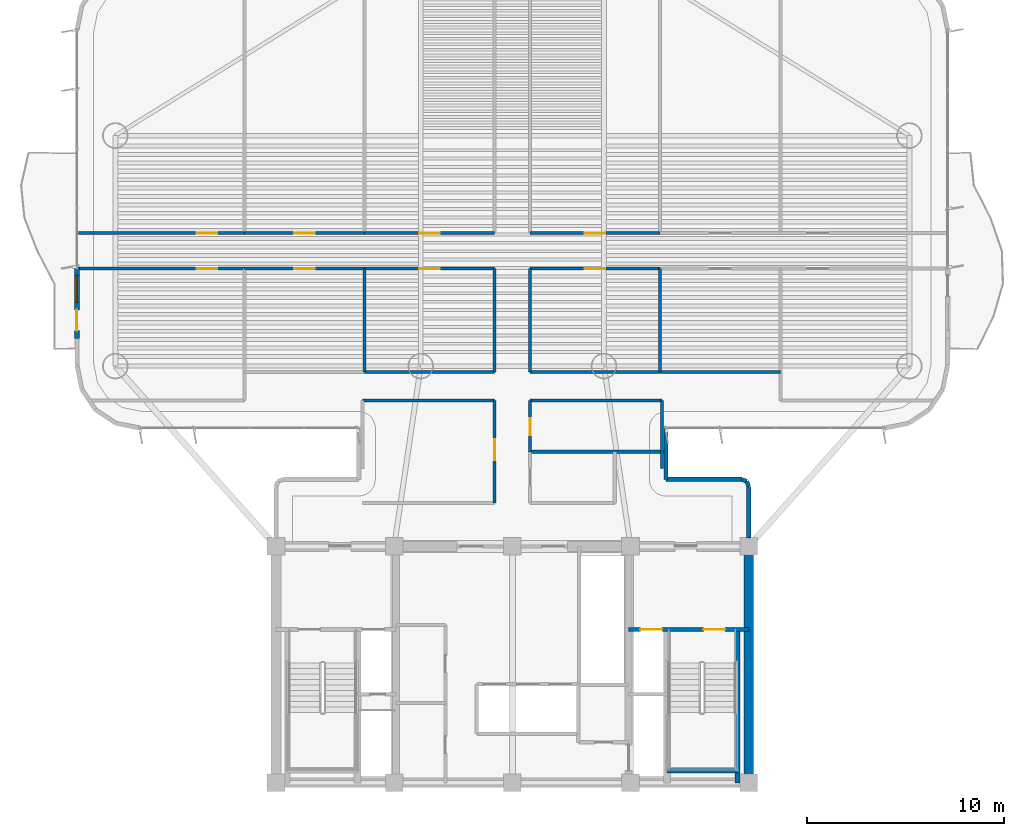
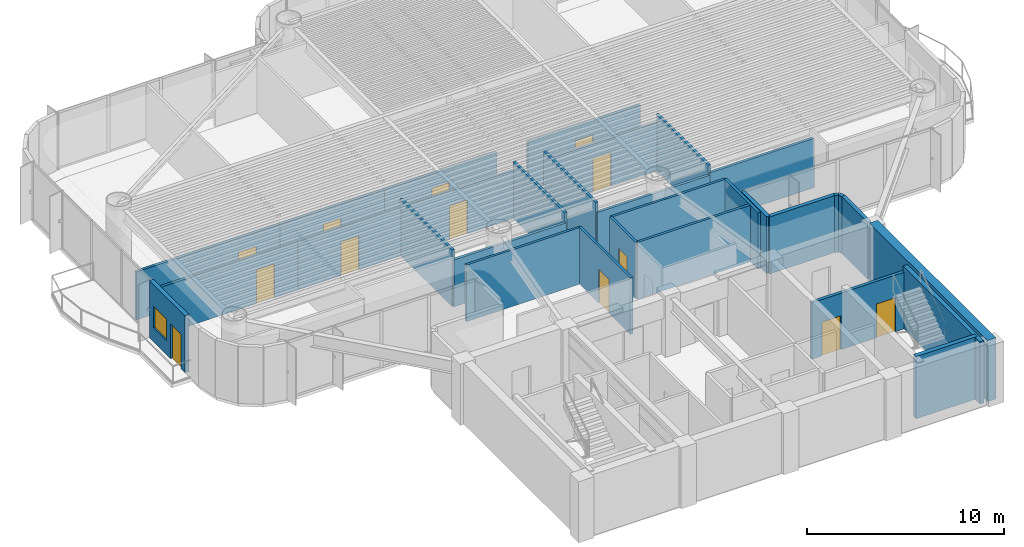
# One storey, part 10 of 16: 31 walls, 13 doors, 1 window, 14 openings.
"""IFC4 building model written with IfcOpenShell, lengths in metres."""

from ifc_helpers import new_model, si_unit, direction, frame, frame_2d, origin, origin_2d, place, context, subcontext, project, spatial, rectangle, extrude, source, transform, mapped, material, layer, layer_set, type_object, element, fill, save


model = new_model("IFC4")

# Units and contexts
model_context = context("Model", 3, precision=1e-05, world=origin(), true_north=direction((0.0, 1.0)))
body_context = subcontext(model_context, "Body", "Model", "MODEL_VIEW")
ifc_project = project(units=[si_unit("LENGTHUNIT", "METRE"), si_unit("AREAUNIT", "SQUARE_METRE"), si_unit("VOLUMEUNIT", "CUBIC_METRE"), si_unit("PLANEANGLEUNIT", "RADIAN"), si_unit("MASSUNIT", "GRAM", prefix="KILO")], contexts=[model_context])

# Site, building, storey
site_placement = place(None, origin())
site = spatial("IfcSite", under=ifc_project, at=site_placement, CompositionType="ELEMENT")
building_placement = place(site_placement, origin())
building = spatial("IfcBuilding", under=site, at=building_placement, Name="Brelvock Crest Care Tower", CompositionType="ELEMENT")
storey_placement = place(building_placement, frame((0.0, 0.0, 112.5)))
storey = spatial("IfcBuildingStorey", under=building, at=storey_placement, Name="L28", CompositionType="ELEMENT", Elevation=112.5)

# Walls
ifc_material_1 = material(Name="Concrete S80 (80 MPa)", Category="concrete")
ifc_layer_1 = layer(ifc_material_1, 0.5, Name="WL-CS2")
ifc_layer_set_1 = layer_set([ifc_layer_1], Name="Concrete S80 (80 MPa)")
wall_type_1 = type_object("IfcWallType", Name="WL-CS2", PredefinedType="SHEAR", material=ifc_layer_set_1)
wall_1_placement = place(storey_placement, frame((48.0, 18.0, 0.0), z_axis=(0.0, 0.0, 1.0), x_axis=(0.0, -1.0, 0.0)))
element("IfcWall", 1, at=wall_1_placement, inside=storey, type_object=wall_type_1, Name="L28 Core East Shear Wall", PredefinedType="SHEAR", context=body_context, shape_type="SweptSolid", body=[
    extrude(rectangle(XDim=12.0, YDim=0.5, at=frame_2d((6.0, 0.0))), origin(), (0.0, 0.0, 1.0), 3.780029296875),
])
ifc_layer_2 = layer(ifc_material_1, 0.25, Name="WL-CS6")
ifc_layer_set_2 = layer_set([ifc_layer_2], Name="Concrete S80 (80 MPa)")
wall_type_2 = type_object("IfcWallType", Name="WL-CS6", PredefinedType="SHEAR", material=ifc_layer_set_2)
wall_2_placement = place(storey_placement, frame((47.419921875, 6.0, 0.0), z_axis=(0.0, 0.0, 1.0), x_axis=(0.0, 1.0, 0.0)))
element("IfcWall", 2, at=wall_2_placement, inside=storey, type_object=wall_type_2, Name="L28 Core Stair ST-2 East Shear Wall", PredefinedType="SHEAR", context=body_context, shape_type="SweptSolid", body=[
    extrude(rectangle(XDim=7.780029296875, YDim=0.25, at=frame_2d((3.89013671875, 0.0))), origin(), (0.0, 0.0, 1.0), 3.85009765625),
])
wall_3_placement = place(storey_placement, frame((43.85009765625, 6.6201171875, 0.0), z_axis=(0.0, 0.0, 1.0), x_axis=(1.0, 0.0, 0.0)))
element("IfcWall", 3, at=wall_3_placement, inside=storey, type_object=wall_type_2, Name="L28 Core Stair ST-2 South Shear Wall", PredefinedType="SHEAR", context=body_context, shape_type="SweptSolid", body=[
    extrude(rectangle(XDim=3.56982421875, YDim=0.25, at=frame_2d((1.784912109375, 0.0))), origin(), (0.0, 0.0, 1.0), 3.85009765625),
])

# Wall, openings, door, window
ifc_material_2 = material(Name="Precast concrete N40 (40 MPa)", Category="concrete")
ifc_layer_3 = layer(ifc_material_2, 0.239990234375, Name="WL-EX1")
ifc_layer_set_3 = layer_set([ifc_layer_3], Name="Precast concrete N40 (40 MPa)")
wall_type_3 = type_object("IfcWallType", Name="WL-EX1", PredefinedType="SOLIDWALL", material=ifc_layer_set_3)
wall_4_placement = place(storey_placement, frame((13.89990234375, 28.550048828125, 0.0), z_axis=(0.0, 0.0, 1.0), x_axis=(0.0, 1.0, 0.0)))
wall_4 = element("IfcWall", 4, at=wall_4_placement, inside=storey, type_object=wall_type_3, Name="L28 Exterior Spandrel Wall WL-BAL-L28-W", PredefinedType="SOLIDWALL", context=body_context, shape_type="SweptSolid", body=[
    extrude(rectangle(XDim=3.599853515625, YDim=0.239990234375, at=frame_2d((1.7998046875, 0.0))), origin(), (0.0, 0.0, 1.0), 3.530029296875),
])
opening_1_placement = place(wall_4_placement, frame((0.39990234375, 0.0, 0.0)))
opening_1 = element("IfcOpeningElement", 5, at=opening_1_placement, cuts=wall_4, Name="Opening BD-1", PredefinedType="OPENING", context=body_context, shape_type="SweptSolid", body=[
    extrude(rectangle(XDim=1.050048828125, YDim=2.14990234375, at=origin_2d()), frame((0.52490234375, 0.1298828125, 1.074951171875), z_axis=(0.0, -1.0, 0.0), x_axis=(1.0, 0.0, 0.0)), (0.0, 0.0, 1.0), 0.260009765625),
])
opening_2_placement = place(wall_4_placement, frame((1.85009765625, 0.0, 0.85009765625)))
opening_2 = element("IfcOpeningElement", 6, at=opening_2_placement, cuts=wall_4, Name="Opening W-01", PredefinedType="OPENING", context=body_context, shape_type="SweptSolid", body=[
    extrude(rectangle(XDim=1.35009765625, YDim=1.35009765625, at=origin_2d()), frame((0.675048828125, 0.1298828125, 0.675048828125), z_axis=(0.0, -1.0, 0.0), x_axis=(1.0, 0.0, 0.0)), (0.0, 0.0, 1.0), 0.260009765625),
])
ifc_material_3 = material(Name="Dark Glass Double Glazed Low-E", Category="glass")
door_type_1 = type_object("IfcDoorType", Name="DR-BAL1", OperationType="NOTDEFINED", PredefinedType="DOOR", material=ifc_material_3)
shared_shape_1 = source(origin(), body_context, "Body", "SweptSolid", [
    extrude(rectangle(XDim=1.050048828125, YDim=2.14990234375, at=origin_2d()), frame((0.52490234375, 0.02490234375, 1.074951171875), z_axis=(0.0, -1.0, 0.0), x_axis=(1.0, 0.0, 0.0)), (0.0, 0.0, 1.0), 0.050048828125),
])
door_1_placement = place(opening_1_placement, origin())
door_1 = element("IfcDoor", 7, at=door_1_placement, inside=storey, type_object=door_type_1, Name="L28 W Wave Balcony Glazed Door", OperationType="SINGLE_SWING_LEFT", OverallHeight=2.14990234375, OverallWidth=1.050048828125, PredefinedType="DOOR", context=body_context, shape_type="MappedRepresentation", body=[
    mapped(shared_shape_1, transform((0.0, 0.0, 0.0), x_axis=(1.0, 0.0, 0.0), y_axis=(0.0, 1.0, 0.0), z_axis=(0.0, 0.0, 1.0), scale=1.0)),
])
fill(opening_1, door_1)
window_type = type_object("IfcWindowType", Name="WN-EX1", PartitioningType="SINGLE_PANEL", PredefinedType="WINDOW", material=ifc_material_3)
shared_shape_2 = source(origin(), body_context, "Body", "SweptSolid", [
    extrude(rectangle(XDim=1.35009765625, YDim=1.35009765625, at=origin_2d()), frame((0.675048828125, 0.030029296875, 0.675048828125), z_axis=(0.0, -1.0, 0.0), x_axis=(1.0, 0.0, 0.0)), (0.0, 0.0, 1.0), 0.06005859375),
])
window_placement = place(opening_2_placement, origin())
window = element("IfcWindow", 8, at=window_placement, inside=storey, type_object=window_type, Name="L28 W Suite Casement Window", OverallHeight=1.35009765625, OverallWidth=1.35009765625, PartitioningType="SINGLE_PANEL", PredefinedType="WINDOW", context=body_context, shape_type="MappedRepresentation", body=[
    mapped(shared_shape_2, transform((0.0, 0.0, 0.0), x_axis=(1.0, 0.0, 0.0), y_axis=(0.0, 1.0, 0.0), z_axis=(0.0, 0.0, 1.0), scale=1.0)),
])
fill(opening_2, window)

# Walls
ifc_layer_4 = layer(ifc_material_2, 0.215087890625, Name="WL-EX2")
ifc_layer_set_4 = layer_set([ifc_layer_4], Name="Precast concrete N40 (40 MPa)")
wall_type_4 = type_object("IfcWallType", Name="WL-EX2", PredefinedType="SOLIDWALL", material=ifc_layer_set_4)
wall_5_placement = place(storey_placement, frame((47.8974609375, 21.297607421875, 0.0), z_axis=(0.0, 0.0, 1.0), x_axis=(0.382673670509, -0.923883575944, 0.0)))
element("IfcWall", 9, at=wall_5_placement, inside=storey, type_object=wall_type_4, Name="L28 Rounded Corner Wall 00", PredefinedType="SOLIDWALL", context=body_context, shape_type="SweptSolid", body=[
    extrude(rectangle(XDim=0.26806640625, YDim=0.215087890625, at=frame_2d((0.134033203125, 0.0))), origin(), (0.0, 0.0, 1.0), 3.530029296875),
])
wall_6_placement = place(storey_placement, frame((48.0, 21.050048828125, 0.0), z_axis=(0.0, 0.0, 1.0), x_axis=(0.0, -1.0, 0.0)))
element("IfcWall", 10, at=wall_6_placement, inside=storey, type_object=wall_type_4, Name="L28 Rounded Corner Wall 01", PredefinedType="SOLIDWALL", context=body_context, shape_type="SweptSolid", body=[
    extrude(rectangle(XDim=2.6201171875, YDim=0.215087890625, at=frame_2d((1.31005859375, 0.0))), origin(), (0.0, 0.0, 1.0), 3.530029296875),
])
wall_7_placement = place(storey_placement, frame((43.800048828125, 24.0, 0.0), z_axis=(0.0, 0.0, 1.0), x_axis=(0.0, -1.0, 0.0)))
element("IfcWall", 11, at=wall_7_placement, inside=storey, type_object=wall_type_4, Name="L28 Rounded Corner Wall 45", PredefinedType="SOLIDWALL", context=body_context, shape_type="SweptSolid", body=[
    extrude(rectangle(XDim=2.60009765625, YDim=0.215087890625, at=frame_2d((1.300048828125, 0.0))), origin(), (0.0, 0.0, 1.0), 3.530029296875),
])
wall_8_placement = place(storey_placement, frame((43.800048828125, 21.39990234375, 0.0), z_axis=(0.0, 0.0, 1.0), x_axis=(1.0, 0.0, 0.0)))
element("IfcWall", 12, at=wall_8_placement, inside=storey, type_object=wall_type_4, Name="L28 Rounded Corner Wall 46", PredefinedType="SOLIDWALL", context=body_context, shape_type="SweptSolid", body=[
    extrude(rectangle(XDim=3.849853515625, YDim=0.215087890625, at=frame_2d((1.9248046875, 0.0))), origin(), (0.0, 0.0, 1.0), 3.530029296875),
])
wall_9_placement = place(storey_placement, frame((47.64990234375, 21.39990234375, 0.0), z_axis=(0.0, 0.0, 1.0), x_axis=(0.924205486139, -0.381895560841, 0.0)))
element("IfcWall", 13, at=wall_9_placement, inside=storey, type_object=wall_type_4, Name="L28 Rounded Corner Wall 47", PredefinedType="SOLIDWALL", context=body_context, shape_type="SweptSolid", body=[
    extrude(rectangle(XDim=0.267822265625, YDim=0.215087890625, at=frame_2d((0.1337890625, 0.0))), origin(), (0.0, 0.0, 1.0), 3.530029296875),
])
ifc_material_4 = material(Name="Masonry Blockwork Acoustic Partition", Category="masonry")
ifc_layer_5 = layer(ifc_material_4, 0.14990234375, Name="WL-INT1")
ifc_layer_set_5 = layer_set([ifc_layer_5], Name="Masonry Blockwork Acoustic Partition")
wall_type_5 = type_object("IfcWallType", Name="WL-INT1", PredefinedType="PARTITIONING", material=ifc_layer_set_5)
for number, where, z_axis, x_axis, name in (
    (14, (28.39990234375, 25.39990234375, 0.0), (0.0, 0.0, 1.0), (1.0, 0.0, 0.0), "L28 Interior Wall WL-BX-L28-THW-N"),
    (15, (36.89990234375, 25.39990234375, 0.0), (0.0, 0.0, 1.0), (1.0, 0.0, 0.0), "L28 Interior Wall WL-BX-L28-THE2-N"),
):
    element("IfcWall", number, at=place(storey_placement, frame(where, z_axis=z_axis, x_axis=x_axis)), inside=storey, type_object=wall_type_5, Name=name, PredefinedType="PARTITIONING", context=body_context, shape_type="SweptSolid", body=[
        extrude(rectangle(XDim=6.7001953125, YDim=0.14990234375, at=frame_2d((3.35009765625, 0.0))), origin(), (0.0, 0.0, 1.0), 3.5),
    ])
for number, where, z_axis, x_axis, name in (
    (16, (28.5, 26.85009765625, 0.0), (0.0, 0.0, 1.0), (1.0, 0.0, 0.0), "L28 Interior Wall WL-BX-L28-ISWB-S"),
    (17, (36.89990234375, 26.85009765625, 0.0), (0.0, 0.0, 1.0), (1.0, 0.0, 0.0), "L28 Interior Wall WL-BX-L28-ISEA-S"),
):
    element("IfcWall", number, at=place(storey_placement, frame(where, z_axis=z_axis, x_axis=x_axis)), inside=storey, type_object=wall_type_5, Name=name, PredefinedType="PARTITIONING", context=body_context, shape_type="SweptSolid", body=[
        extrude(rectangle(XDim=6.60009765625, YDim=0.14990234375, at=frame_2d((3.300048828125, 0.0))), origin(), (0.0, 0.0, 1.0), 2.903076171875),
    ])
wall_10_placement = place(storey_placement, frame((43.5, 26.85009765625, 0.0), z_axis=(0.0, 0.0, 1.0), x_axis=(1.0, 0.0, 0.0)))
element("IfcWall", 18, at=wall_10_placement, inside=storey, type_object=wall_type_5, Name="L28 Interior Wall WL-BX-L28-ISEB-S", PredefinedType="PARTITIONING", context=body_context, shape_type="SweptSolid", body=[
    extrude(rectangle(XDim=6.10009765625, YDim=0.14990234375, at=frame_2d((3.050048828125, 0.0))), origin(), (0.0, 0.0, 1.0), 3.054931640625),
])

# Wall, opening, door
wall_11_placement = place(storey_placement, frame((13.97998046875, 32.10009765625, 0.0), z_axis=(0.0, 0.0, 1.0), x_axis=(1.0, 0.0, 0.0)))
wall_11 = element("IfcWall", 19, at=wall_11_placement, inside=storey, type_object=wall_type_5, Name="L28 Interior Wall WL-RM-L28-SW", PredefinedType="PARTITIONING", context=body_context, shape_type="SweptSolid", body=[
    extrude(rectangle(XDim=8.419921875, YDim=0.14990234375, at=frame_2d((4.2099609375, 0.0))), origin(), (0.0, 0.0, 1.0), 2.98193359375),
])
opening_3_placement = place(wall_11_placement, frame((5.9951171875, 0.0, 0.0)))
opening_3 = element("IfcOpeningElement", 20, at=opening_3_placement, cuts=wall_11, Name="Opening CLD-1", PredefinedType="OPENING", context=body_context, shape_type="SweptSolid", body=[
    extrude(rectangle(XDim=1.050048828125, YDim=2.10009765625, at=origin_2d()), frame((0.52490234375, 0.0849609375, 1.050048828125), z_axis=(0.0, -1.0, 0.0), x_axis=(1.0, 0.0, 0.0)), (0.0, 0.0, 1.0), 0.169921875),
])
ifc_material_5 = material(Name="Engineered Hardwood Timber", Category="wood")
door_type_2 = type_object("IfcDoorType", Name="DR-CLN1", OperationType="NOTDEFINED", PredefinedType="DOOR", material=ifc_material_5)
shared_shape_3 = source(origin(), body_context, "Body", "SweptSolid", [
    extrude(rectangle(XDim=1.050048828125, YDim=2.10009765625, at=origin_2d()), frame((0.52490234375, 0.02490234375, 1.050048828125), z_axis=(0.0, -1.0, 0.0), x_axis=(1.0, 0.0, 0.0)), (0.0, 0.0, 1.0), 0.050048828125),
])
door_2_placement = place(opening_3_placement, origin())
door_2 = element("IfcDoor", 21, at=door_2_placement, inside=storey, type_object=door_type_2, Name="L28 Rehabilitation Therapy Suite Door SW", OperationType="SINGLE_SWING_LEFT", OverallHeight=2.10009765625, OverallWidth=1.050048828125, PredefinedType="DOOR", context=body_context, shape_type="MappedRepresentation", body=[
    mapped(shared_shape_3, transform((0.0, 0.0, 0.0), x_axis=(1.0, 0.0, 0.0), y_axis=(0.0, 1.0, 0.0), z_axis=(0.0, 0.0, 1.0), scale=1.0)),
])
fill(opening_3, door_2)

wall_12_placement = place(storey_placement, frame((22.39990234375, 32.10009765625, 0.0), z_axis=(0.0, 0.0, 1.0), x_axis=(1.0, 0.0, 0.0)))
wall_12 = element("IfcWall", 22, at=wall_12_placement, inside=storey, type_object=wall_type_5, Name="L28 Interior Wall WL-RM-L28-ISWA", PredefinedType="PARTITIONING", context=body_context, shape_type="SweptSolid", body=[
    extrude(rectangle(XDim=6.10009765625, YDim=0.14990234375, at=frame_2d((3.050048828125, 0.0))), origin(), (0.0, 0.0, 1.0), 2.98193359375),
])
opening_4_placement = place(wall_12_placement, frame((2.52490234375, 0.0, 0.0)))
opening_4 = element("IfcOpeningElement", 23, at=opening_4_placement, cuts=wall_12, Name="Opening CLD-1", PredefinedType="OPENING", context=body_context, shape_type="SweptSolid", body=[
    extrude(rectangle(XDim=1.050048828125, YDim=2.10009765625, at=origin_2d()), frame((0.52490234375, 0.0849609375, 1.050048828125), z_axis=(0.0, -1.0, 0.0), x_axis=(1.0, 0.0, 0.0)), (0.0, 0.0, 1.0), 0.169921875),
])
door_3_placement = place(opening_4_placement, origin())
door_3 = element("IfcDoor", 24, at=door_3_placement, inside=storey, type_object=door_type_2, Name="L28 Occupational Rehab Gym Door ISWA", OperationType="SINGLE_SWING_LEFT", OverallHeight=2.10009765625, OverallWidth=1.050048828125, PredefinedType="DOOR", context=body_context, shape_type="MappedRepresentation", body=[
    mapped(shared_shape_3, transform((0.0, 0.0, 0.0), x_axis=(1.0, 0.0, 0.0), y_axis=(0.0, 1.0, 0.0), z_axis=(0.0, 0.0, 1.0), scale=1.0)),
])
fill(opening_4, door_3)

wall_13_placement = place(storey_placement, frame((28.5, 32.10009765625, 0.0), z_axis=(0.0, 0.0, 1.0), x_axis=(1.0, 0.0, 0.0)))
wall_13 = element("IfcWall", 25, at=wall_13_placement, inside=storey, type_object=wall_type_5, Name="L28 Interior Wall WL-RM-L28-ISWB", PredefinedType="PARTITIONING", context=body_context, shape_type="SweptSolid", body=[
    extrude(rectangle(XDim=6.60009765625, YDim=0.14990234375, at=frame_2d((3.300048828125, 0.0))), origin(), (0.0, 0.0, 1.0), 2.98193359375),
])
opening_5_placement = place(wall_13_placement, frame((2.77490234375, 0.0, 0.0)))
opening_5 = element("IfcOpeningElement", 26, at=opening_5_placement, cuts=wall_13, Name="Opening CLD-1", PredefinedType="OPENING", context=body_context, shape_type="SweptSolid", body=[
    extrude(rectangle(XDim=1.050048828125, YDim=2.10009765625, at=origin_2d()), frame((0.52490234375, 0.0849609375, 1.050048828125), z_axis=(0.0, -1.0, 0.0), x_axis=(1.0, 0.0, 0.0)), (0.0, 0.0, 1.0), 0.169921875),
])
door_4_placement = place(opening_5_placement, origin())
door_4 = element("IfcDoor", 27, at=door_4_placement, inside=storey, type_object=door_type_2, Name="L28 Geriatric Hydro-Consultation Door ISWB", OperationType="SINGLE_SWING_LEFT", OverallHeight=2.10009765625, OverallWidth=1.050048828125, PredefinedType="DOOR", context=body_context, shape_type="MappedRepresentation", body=[
    mapped(shared_shape_3, transform((0.0, 0.0, 0.0), x_axis=(1.0, 0.0, 0.0), y_axis=(0.0, 1.0, 0.0), z_axis=(0.0, 0.0, 1.0), scale=1.0)),
])
fill(opening_5, door_4)

wall_14_placement = place(storey_placement, frame((36.89990234375, 32.10009765625, 0.0), z_axis=(0.0, 0.0, 1.0), x_axis=(1.0, 0.0, 0.0)))
wall_14 = element("IfcWall", 28, at=wall_14_placement, inside=storey, type_object=wall_type_5, Name="L28 Interior Wall WL-RM-L28-ISEA", PredefinedType="PARTITIONING", context=body_context, shape_type="SweptSolid", body=[
    extrude(rectangle(XDim=6.60009765625, YDim=0.14990234375, at=frame_2d((3.300048828125, 0.0))), origin(), (0.0, 0.0, 1.0), 2.98193359375),
])
opening_6_placement = place(wall_14_placement, frame((2.77490234375, 0.0, 0.0)))
opening_6 = element("IfcOpeningElement", 29, at=opening_6_placement, cuts=wall_14, Name="Opening CLD-1", PredefinedType="OPENING", context=body_context, shape_type="SweptSolid", body=[
    extrude(rectangle(XDim=1.050048828125, YDim=2.10009765625, at=origin_2d()), frame((0.52490234375, 0.0849609375, 1.050048828125), z_axis=(0.0, -1.0, 0.0), x_axis=(1.0, 0.0, 0.0)), (0.0, 0.0, 1.0), 0.169921875),
])
door_5_placement = place(opening_6_placement, origin())
door_5 = element("IfcDoor", 30, at=door_5_placement, inside=storey, type_object=door_type_2, Name="L28 Occupational Rehab Gym Door ISEA", OperationType="SINGLE_SWING_LEFT", OverallHeight=2.10009765625, OverallWidth=1.050048828125, PredefinedType="DOOR", context=body_context, shape_type="MappedRepresentation", body=[
    mapped(shared_shape_3, transform((0.0, 0.0, 0.0), x_axis=(1.0, 0.0, 0.0), y_axis=(0.0, 1.0, 0.0), z_axis=(0.0, 0.0, 1.0), scale=1.0)),
])
fill(opening_6, door_5)

wall_15_placement = place(storey_placement, frame((13.97998046875, 33.89990234375, 0.0), z_axis=(0.0, 0.0, 1.0), x_axis=(1.0, 0.0, 0.0)))
wall_15 = element("IfcWall", 31, at=wall_15_placement, inside=storey, type_object=wall_type_5, Name="L28 Interior Wall WL-RM-L28-NW", PredefinedType="PARTITIONING", context=body_context, shape_type="SweptSolid", body=[
    extrude(rectangle(XDim=8.419921875, YDim=0.14990234375, at=frame_2d((4.2099609375, 0.0))), origin(), (0.0, 0.0, 1.0), 2.98193359375),
])
opening_7_placement = place(wall_15_placement, frame((5.9951171875, 0.0, 0.0)))
opening_7 = element("IfcOpeningElement", 32, at=opening_7_placement, cuts=wall_15, Name="Opening CLD-1", PredefinedType="OPENING", context=body_context, shape_type="SweptSolid", body=[
    extrude(rectangle(XDim=1.050048828125, YDim=2.10009765625, at=origin_2d()), frame((0.52490234375, 0.0849609375, 1.050048828125), z_axis=(0.0, -1.0, 0.0), x_axis=(1.0, 0.0, 0.0)), (0.0, 0.0, 1.0), 0.169921875),
])
door_6_placement = place(opening_7_placement, origin())
door_6 = element("IfcDoor", 33, at=door_6_placement, inside=storey, type_object=door_type_2, Name="L28 Rehabilitation Therapy Suite Door NW", OperationType="SINGLE_SWING_LEFT", OverallHeight=2.10009765625, OverallWidth=1.050048828125, PredefinedType="DOOR", context=body_context, shape_type="MappedRepresentation", body=[
    mapped(shared_shape_3, transform((0.0, 0.0, 0.0), x_axis=(1.0, 0.0, 0.0), y_axis=(0.0, 1.0, 0.0), z_axis=(0.0, 0.0, 1.0), scale=1.0)),
])
fill(opening_7, door_6)

wall_16_placement = place(storey_placement, frame((22.39990234375, 33.89990234375, 0.0), z_axis=(0.0, 0.0, 1.0), x_axis=(1.0, 0.0, 0.0)))
wall_16 = element("IfcWall", 34, at=wall_16_placement, inside=storey, type_object=wall_type_5, Name="L28 Interior Wall WL-RM-L28-INWA", PredefinedType="PARTITIONING", context=body_context, shape_type="SweptSolid", body=[
    extrude(rectangle(XDim=6.10009765625, YDim=0.14990234375, at=frame_2d((3.050048828125, 0.0))), origin(), (0.0, 0.0, 1.0), 2.98193359375),
])
opening_8_placement = place(wall_16_placement, frame((2.52490234375, 0.0, 0.0)))
opening_8 = element("IfcOpeningElement", 35, at=opening_8_placement, cuts=wall_16, Name="Opening CLD-1", PredefinedType="OPENING", context=body_context, shape_type="SweptSolid", body=[
    extrude(rectangle(XDim=1.050048828125, YDim=2.10009765625, at=origin_2d()), frame((0.52490234375, 0.0849609375, 1.050048828125), z_axis=(0.0, -1.0, 0.0), x_axis=(1.0, 0.0, 0.0)), (0.0, 0.0, 1.0), 0.169921875),
])
door_7_placement = place(opening_8_placement, origin())
door_7 = element("IfcDoor", 36, at=door_7_placement, inside=storey, type_object=door_type_2, Name="L28 Occupational Rehab Gym Door INWA", OperationType="SINGLE_SWING_LEFT", OverallHeight=2.10009765625, OverallWidth=1.050048828125, PredefinedType="DOOR", context=body_context, shape_type="MappedRepresentation", body=[
    mapped(shared_shape_3, transform((0.0, 0.0, 0.0), x_axis=(1.0, 0.0, 0.0), y_axis=(0.0, 1.0, 0.0), z_axis=(0.0, 0.0, 1.0), scale=1.0)),
])
fill(opening_8, door_7)

wall_17_placement = place(storey_placement, frame((28.5, 33.89990234375, 0.0), z_axis=(0.0, 0.0, 1.0), x_axis=(1.0, 0.0, 0.0)))
wall_17 = element("IfcWall", 37, at=wall_17_placement, inside=storey, type_object=wall_type_5, Name="L28 Interior Wall WL-RM-L28-INWB", PredefinedType="PARTITIONING", context=body_context, shape_type="SweptSolid", body=[
    extrude(rectangle(XDim=6.60009765625, YDim=0.14990234375, at=frame_2d((3.300048828125, 0.0))), origin(), (0.0, 0.0, 1.0), 2.98193359375),
])
opening_9_placement = place(wall_17_placement, frame((2.77490234375, 0.0, 0.0)))
opening_9 = element("IfcOpeningElement", 38, at=opening_9_placement, cuts=wall_17, Name="Opening CLD-1", PredefinedType="OPENING", context=body_context, shape_type="SweptSolid", body=[
    extrude(rectangle(XDim=1.050048828125, YDim=2.10009765625, at=origin_2d()), frame((0.52490234375, 0.0849609375, 1.050048828125), z_axis=(0.0, -1.0, 0.0), x_axis=(1.0, 0.0, 0.0)), (0.0, 0.0, 1.0), 0.169921875),
])
door_8_placement = place(opening_9_placement, origin())
door_8 = element("IfcDoor", 39, at=door_8_placement, inside=storey, type_object=door_type_2, Name="L28 Geriatric Hydro-Consultation Door INWB", OperationType="SINGLE_SWING_LEFT", OverallHeight=2.10009765625, OverallWidth=1.050048828125, PredefinedType="DOOR", context=body_context, shape_type="MappedRepresentation", body=[
    mapped(shared_shape_3, transform((0.0, 0.0, 0.0), x_axis=(1.0, 0.0, 0.0), y_axis=(0.0, 1.0, 0.0), z_axis=(0.0, 0.0, 1.0), scale=1.0)),
])
fill(opening_9, door_8)

wall_18_placement = place(storey_placement, frame((36.89990234375, 33.89990234375, 0.0), z_axis=(0.0, 0.0, 1.0), x_axis=(1.0, 0.0, 0.0)))
wall_18 = element("IfcWall", 40, at=wall_18_placement, inside=storey, type_object=wall_type_5, Name="L28 Interior Wall WL-RM-L28-INEA", PredefinedType="PARTITIONING", context=body_context, shape_type="SweptSolid", body=[
    extrude(rectangle(XDim=6.60009765625, YDim=0.14990234375, at=frame_2d((3.300048828125, 0.0))), origin(), (0.0, 0.0, 1.0), 2.98193359375),
])
opening_10_placement = place(wall_18_placement, frame((2.77490234375, 0.0, 0.0)))
opening_10 = element("IfcOpeningElement", 41, at=opening_10_placement, cuts=wall_18, Name="Opening CLD-1", PredefinedType="OPENING", context=body_context, shape_type="SweptSolid", body=[
    extrude(rectangle(XDim=1.050048828125, YDim=2.10009765625, at=origin_2d()), frame((0.52490234375, 0.0849609375, 1.050048828125), z_axis=(0.0, -1.0, 0.0), x_axis=(1.0, 0.0, 0.0)), (0.0, 0.0, 1.0), 0.169921875),
])
door_9_placement = place(opening_10_placement, origin())
door_9 = element("IfcDoor", 42, at=door_9_placement, inside=storey, type_object=door_type_2, Name="L28 Occupational Rehab Gym Door INEA", OperationType="SINGLE_SWING_LEFT", OverallHeight=2.10009765625, OverallWidth=1.050048828125, PredefinedType="DOOR", context=body_context, shape_type="MappedRepresentation", body=[
    mapped(shared_shape_3, transform((0.0, 0.0, 0.0), x_axis=(1.0, 0.0, 0.0), y_axis=(0.0, 1.0, 0.0), z_axis=(0.0, 0.0, 1.0), scale=1.0)),
])
fill(opening_10, door_9)

# Wall
wall_19_placement = place(storey_placement, frame((28.5, 26.85009765625, 0.0), z_axis=(0.0, 0.0, 1.0), x_axis=(0.0, 1.0, 0.0)))
element("IfcWall", 43, at=wall_19_placement, inside=storey, type_object=wall_type_5, Name="L28 Interior Wall WL-BX-L28-ISWA-E", PredefinedType="PARTITIONING", context=body_context, shape_type="SweptSolid", body=[
    extrude(rectangle(XDim=5.25, YDim=0.14990234375, at=frame_2d((2.625, 0.0))), origin(), (0.0, 0.0, 1.0), 3.5),
])

# Wall, opening, door
wall_20_placement = place(storey_placement, frame((35.10009765625, 20.199951171875, 0.0), z_axis=(0.0, 0.0, 1.0), x_axis=(0.0, 1.0, 0.0)))
wall_20 = element("IfcWall", 44, at=wall_20_placement, inside=storey, type_object=wall_type_5, Name="L28 Interior Wall WL-RM-L28-THW", PredefinedType="PARTITIONING", context=body_context, shape_type="SweptSolid", body=[
    extrude(rectangle(XDim=5.199951171875, YDim=0.14990234375, at=frame_2d((2.60009765625, 0.0))), origin(), (0.0, 0.0, 1.0), 3.5),
])
opening_11_placement = place(wall_20_placement, frame((2.175048828125, 0.0, 0.0)))
opening_11 = element("IfcOpeningElement", 45, at=opening_11_placement, cuts=wall_20, Name="Opening CLD-1", PredefinedType="OPENING", context=body_context, shape_type="SweptSolid", body=[
    extrude(rectangle(XDim=1.050048828125, YDim=2.10009765625, at=origin_2d()), frame((0.52490234375, 0.0849609375, 1.050048828125), z_axis=(0.0, -1.0, 0.0), x_axis=(1.0, 0.0, 0.0)), (0.0, 0.0, 1.0), 0.169921875),
])
door_10_placement = place(opening_11_placement, origin())
door_10 = element("IfcDoor", 46, at=door_10_placement, inside=storey, type_object=door_type_2, Name="L28 Allied Health Consultation Room Door THW", OperationType="SINGLE_SWING_LEFT", OverallHeight=2.10009765625, OverallWidth=1.050048828125, PredefinedType="DOOR", context=body_context, shape_type="MappedRepresentation", body=[
    mapped(shared_shape_3, transform((0.0, 0.0, 0.0), x_axis=(1.0, 0.0, 0.0), y_axis=(0.0, 1.0, 0.0), z_axis=(0.0, 0.0, 1.0), scale=1.0)),
])
fill(opening_11, door_10)

# Wall
wall_21_placement = place(storey_placement, frame((35.10009765625, 26.85009765625, 0.0), z_axis=(0.0, 0.0, 1.0), x_axis=(0.0, 1.0, 0.0)))
element("IfcWall", 47, at=wall_21_placement, inside=storey, type_object=wall_type_5, Name="L28 Interior Wall WL-BX-L28-ISWB-E", PredefinedType="PARTITIONING", context=body_context, shape_type="SweptSolid", body=[
    extrude(rectangle(XDim=5.25, YDim=0.14990234375, at=frame_2d((2.625, 0.0))), origin(), (0.0, 0.0, 1.0), 3.5),
])

# Wall, opening, door
wall_22_placement = place(storey_placement, frame((36.89990234375, 22.800048828125, 0.0), z_axis=(0.0, 0.0, 1.0), x_axis=(0.0, 1.0, 0.0)))
wall_22 = element("IfcWall", 48, at=wall_22_placement, inside=storey, type_object=wall_type_5, Name="L28 Interior Wall WL-RM-L28-THE2", PredefinedType="PARTITIONING", context=body_context, shape_type="SweptSolid", body=[
    extrude(rectangle(XDim=2.599853515625, YDim=0.14990234375, at=frame_2d((1.2998046875, 0.0))), origin(), (0.0, 0.0, 1.0), 3.5),
])
opening_12_placement = place(wall_22_placement, frame((0.840087890625, 0.0, 0.0)))
opening_12 = element("IfcOpeningElement", 49, at=opening_12_placement, cuts=wall_22, Name="Opening ID-1", PredefinedType="OPENING", context=body_context, shape_type="SweptSolid", body=[
    extrude(rectangle(XDim=0.860107421875, YDim=2.10009765625, at=origin_2d()), frame((0.43017578125, 0.0849609375, 1.050048828125), z_axis=(0.0, -1.0, 0.0), x_axis=(1.0, 0.0, 0.0)), (0.0, 0.0, 1.0), 0.169921875),
])
door_type_3 = type_object("IfcDoorType", Name="DR-INT1", OperationType="NOTDEFINED", PredefinedType="DOOR", material=ifc_material_5)
shared_shape_4 = source(origin(), body_context, "Body", "SweptSolid", [
    extrude(rectangle(XDim=0.860107421875, YDim=2.10009765625, at=origin_2d()), frame((0.43017578125, 0.02490234375, 1.050048828125), z_axis=(0.0, -1.0, 0.0), x_axis=(1.0, 0.0, 0.0)), (0.0, 0.0, 1.0), 0.050048828125),
])
door_11_placement = place(opening_12_placement, origin())
door_11 = element("IfcDoor", 50, at=door_11_placement, inside=storey, type_object=door_type_3, Name="L28 Care Coordinator Office Door THE2", OperationType="SINGLE_SWING_LEFT", OverallHeight=2.10009765625, OverallWidth=0.860107421875, PredefinedType="DOOR", context=body_context, shape_type="MappedRepresentation", body=[
    mapped(shared_shape_4, transform((0.0, 0.0, 0.0), x_axis=(1.0, 0.0, 0.0), y_axis=(0.0, 1.0, 0.0), z_axis=(0.0, 0.0, 1.0), scale=1.0)),
])
fill(opening_12, door_11)

# Walls
for number, where, z_axis, x_axis, name in (
    (51, (36.89990234375, 26.85009765625, 0.0), (0.0, 0.0, 1.0), (0.0, 1.0, 0.0), "L28 Interior Wall WL-BX-L28-ISEA-W"),
    (52, (43.5, 26.85009765625, 0.0), (0.0, 0.0, 1.0), (0.0, 1.0, 0.0), "L28 Interior Wall WL-BX-L28-ISEA-E"),
):
    element("IfcWall", number, at=place(storey_placement, frame(where, z_axis=z_axis, x_axis=x_axis)), inside=storey, type_object=wall_type_5, Name=name, PredefinedType="PARTITIONING", context=body_context, shape_type="SweptSolid", body=[
        extrude(rectangle(XDim=5.25, YDim=0.14990234375, at=frame_2d((2.625, 0.0))), origin(), (0.0, 0.0, 1.0), 3.5),
    ])
wall_23_placement = place(storey_placement, frame((43.60009765625, 21.95751953125, 0.0), z_axis=(0.0, 0.0, 1.0), x_axis=(0.0, 1.0, 0.0)))
element("IfcWall", 53, at=wall_23_placement, inside=storey, type_object=wall_type_5, Name="L28 Interior Wall WL-BX-L28-THE2-E", PredefinedType="PARTITIONING", context=body_context, shape_type="SweptSolid", body=[
    extrude(rectangle(XDim=3.4423828125, YDim=0.14990234375, at=frame_2d((1.72119140625, 0.0))), origin(), (0.0, 0.0, 1.0), 3.5),
])
ifc_material_6 = material(Name="Gypsum Plasterboard Partition", Category="gypsum")
ifc_layer_6 = layer(ifc_material_6, 0.159912109375, Name="WL-PLM1")
ifc_layer_set_6 = layer_set([ifc_layer_6], Name="Gypsum Plasterboard Partition")
wall_type_6 = type_object("IfcWallType", Name="WL-PLM1", PredefinedType="PLUMBINGWALL", material=ifc_layer_set_6)
wall_24_placement = place(storey_placement, frame((36.89990234375, 22.800048828125, 0.0), z_axis=(0.0, 0.0, 1.0), x_axis=(1.0, 0.0, 0.0)))
element("IfcWall", 54, at=wall_24_placement, inside=storey, type_object=wall_type_6, Name="L28 Interior Wall WL-BX-L28-THE2-S", PredefinedType="PLUMBINGWALL", context=body_context, shape_type="SweptSolid", body=[
    extrude(rectangle(XDim=6.820068359375, YDim=0.159912109375, at=frame_2d((3.41015625, 0.0))), origin(), (0.0, 0.0, 1.0), 3.5),
])

# Wall, openings, doors
ifc_layer_7 = layer(ifc_material_4, 0.179931640625, Name="WL-SHF1")
ifc_layer_set_7 = layer_set([ifc_layer_7], Name="Masonry Blockwork Acoustic Partition")
wall_type_7 = type_object("IfcWallType", Name="WL-SHF1", PredefinedType="PARTITIONING", material=ifc_layer_set_7)
wall_25_placement = place(storey_placement, frame((41.89990234375, 13.780029296875, 0.0), z_axis=(0.0, 0.0, 1.0), x_axis=(1.0, 0.0, 0.0)))
wall_25 = element("IfcWall", 55, at=wall_25_placement, inside=storey, type_object=wall_type_7, Name="L28 Interior Wall WL-ST2-N-L28", PredefinedType="PARTITIONING", context=body_context, shape_type="SweptSolid", body=[
    extrude(rectangle(XDim=6.10009765625, YDim=0.179931640625, at=frame_2d((3.050048828125, 0.0))), origin(), (0.0, 0.0, 1.0), 3.5),
])
opening_13_placement = place(wall_25_placement, frame((0.60009765625, 0.0, 0.0)))
opening_13 = element("IfcOpeningElement", 56, at=opening_13_placement, cuts=wall_25, Name="Opening LD", PredefinedType="OPENING", context=body_context, shape_type="SweptSolid", body=[
    extrude(rectangle(XDim=1.10009765625, YDim=2.10009765625, at=origin_2d()), frame((0.550048828125, 0.10009765625, 1.050048828125), z_axis=(0.0, -1.0, 0.0), x_axis=(1.0, 0.0, 0.0)), (0.0, 0.0, 1.0), 0.199951171875),
])
opening_14_placement = place(wall_25_placement, frame((3.800048828125, 0.0, 0.0)))
opening_14 = element("IfcOpeningElement", 57, at=opening_14_placement, cuts=wall_25, Name="Opening SD-1", PredefinedType="OPENING", context=body_context, shape_type="SweptSolid", body=[
    extrude(rectangle(XDim=1.10009765625, YDim=2.10009765625, at=origin_2d()), frame((0.550048828125, 0.10009765625, 1.050048828125), z_axis=(0.0, -1.0, 0.0), x_axis=(1.0, 0.0, 0.0)), (0.0, 0.0, 1.0), 0.199951171875),
])
ifc_material_7 = material(Name="Steel Grade 350", Category="steel")
door_type_4 = type_object("IfcDoorType", Name="DR-ST1", OperationType="NOTDEFINED", PredefinedType="DOOR", material=ifc_material_7)
shared_shape_5 = source(origin(), body_context, "Body", "SweptSolid", [
    extrude(rectangle(XDim=1.10009765625, YDim=2.10009765625, at=origin_2d()), frame((0.550048828125, 0.02490234375, 1.050048828125), z_axis=(0.0, -1.0, 0.0), x_axis=(1.0, 0.0, 0.0)), (0.0, 0.0, 1.0), 0.050048828125),
])
door_12_placement = place(opening_14_placement, origin())
door_12 = element("IfcDoor", 58, at=door_12_placement, inside=storey, type_object=door_type_4, Name="L28 Fire Stair ST-2 Door", OperationType="SINGLE_SWING_RIGHT", OverallHeight=2.10009765625, OverallWidth=1.10009765625, PredefinedType="DOOR", context=body_context, shape_type="MappedRepresentation", body=[
    mapped(shared_shape_5, transform((0.0, 0.0, 0.0), x_axis=(1.0, 0.0, 0.0), y_axis=(0.0, 1.0, 0.0), z_axis=(0.0, 0.0, 1.0), scale=1.0)),
])
fill(opening_14, door_12)
door_type_5 = type_object("IfcDoorType", Name="DR-LD1", OperationType="NOTDEFINED", PredefinedType="DOOR", material=ifc_material_7)
shared_shape_6 = source(origin(), body_context, "Body", "SweptSolid", [
    extrude(rectangle(XDim=1.10009765625, YDim=2.10009765625, at=origin_2d()), frame((0.550048828125, 0.02490234375, 1.050048828125), z_axis=(0.0, -1.0, 0.0), x_axis=(1.0, 0.0, 0.0)), (0.0, 0.0, 1.0), 0.050048828125),
])
door_13_placement = place(opening_13_placement, origin())
door_13 = element("IfcDoor", 59, at=door_13_placement, inside=storey, type_object=door_type_5, Name="L28 Firefighting Lift FFL-2 Landing Door", OperationType="SLIDING_TO_RIGHT", OverallHeight=2.10009765625, OverallWidth=1.10009765625, PredefinedType="DOOR", context=body_context, shape_type="MappedRepresentation", body=[
    mapped(shared_shape_6, transform((0.0, 0.0, 0.0), x_axis=(1.0, 0.0, 0.0), y_axis=(0.0, 1.0, 0.0), z_axis=(0.0, 0.0, 1.0), scale=1.0)),
])
fill(opening_13, door_13)

save(model, "model.ifc")
